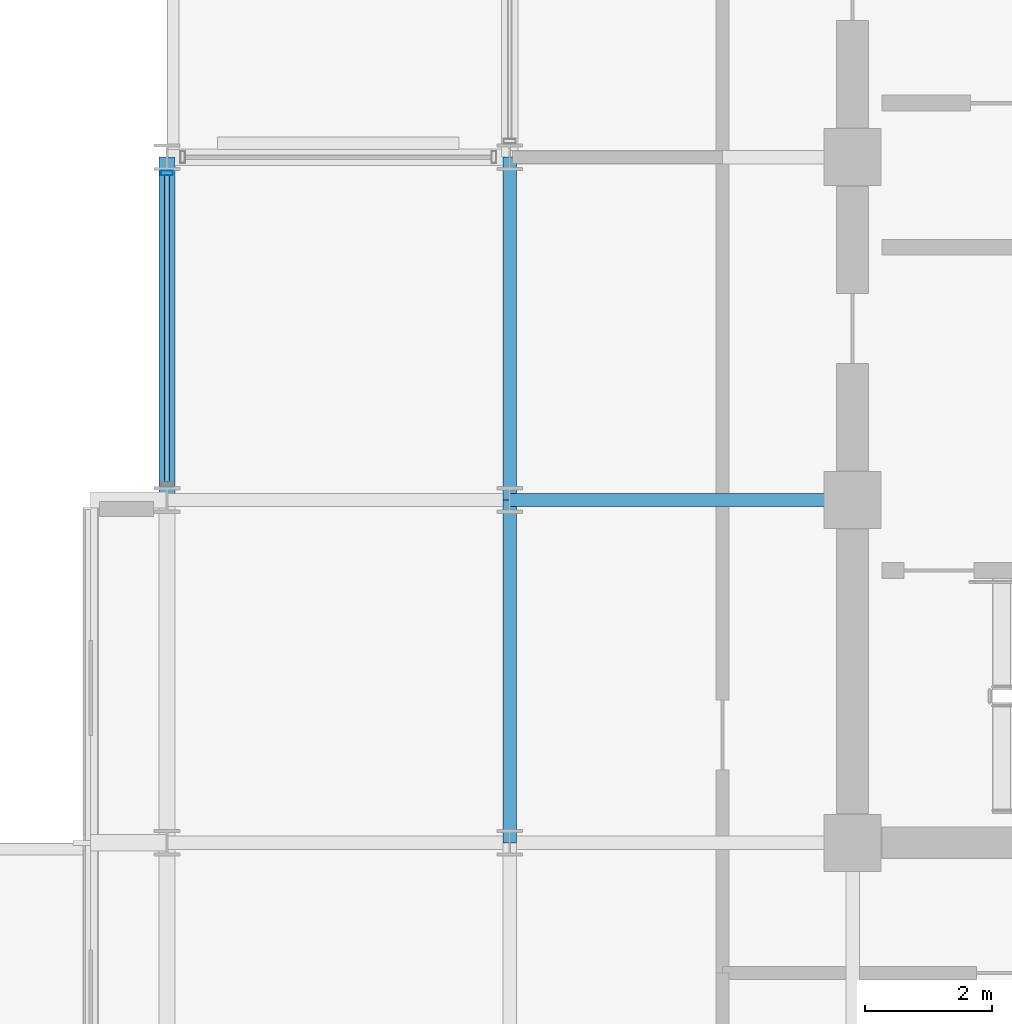
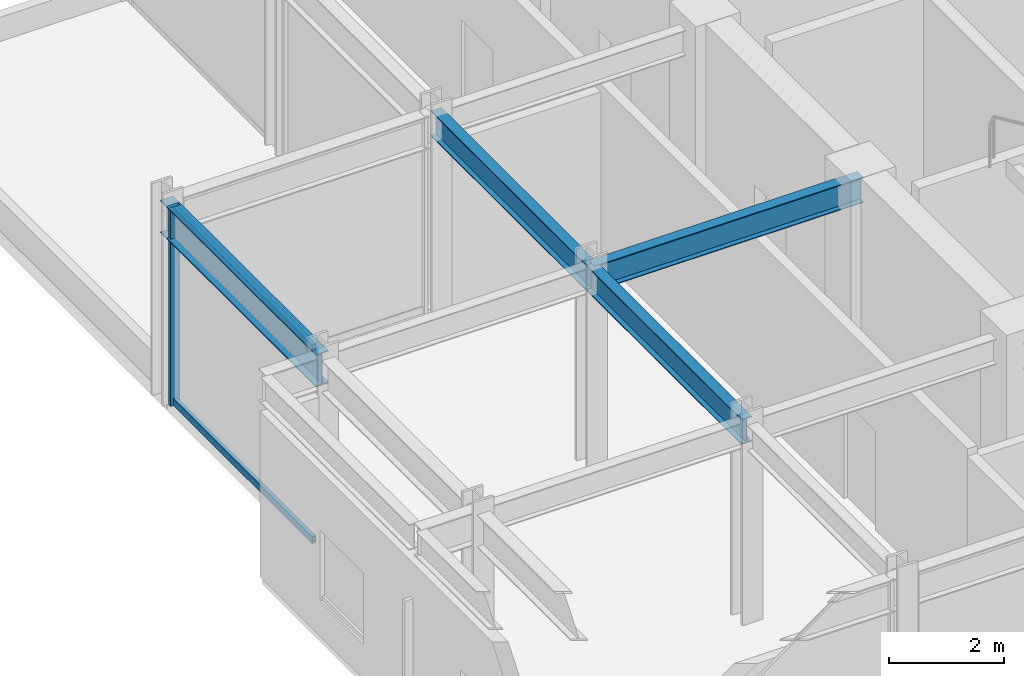
# One storey, part 3 of 21: 4 beams, 3 members, 1 element without a shape of its own.
"""IFC4 building model written with IfcOpenShell, lengths in metres."""

from ifc_helpers import new_model, si_unit, direction, frame, origin, origin_2d, place, context, subcontext, project, spatial, hollow_rectangle, i_section, extrude, material, layer, layer_set, material_profile, profile_set, type_object, element, aggregate, save


model = new_model("IFC4")

# Units and contexts
model_context = context("Model", 3, precision=1e-05, world=origin(), true_north=direction((0.0, 1.0)))
body_context = subcontext(model_context, "Body", "Model", "MODEL_VIEW")
ifc_project = project(units=[si_unit("LENGTHUNIT", "METRE"), si_unit("AREAUNIT", "SQUARE_METRE"), si_unit("VOLUMEUNIT", "CUBIC_METRE"), si_unit("PLANEANGLEUNIT", "RADIAN"), si_unit("MASSUNIT", "GRAM", prefix="KILO")], contexts=[model_context])

# Site, building, storey
site_placement = place(None, origin())
site = spatial("IfcSite", under=ifc_project, at=site_placement, CompositionType="ELEMENT")
building_placement = place(site_placement, origin())
building = spatial("IfcBuilding", under=site, at=building_placement, Name="Surkhivell Harbour Commons", CompositionType="ELEMENT")
storey_placement = place(building_placement, frame((0.0, 0.0, 346.5)))
storey = spatial("IfcBuildingStorey", under=building, at=storey_placement, Name="L90", CompositionType="ELEMENT", Elevation=346.5)

# Beams
ifc_material_1 = material(Name="Steel S355", Category="steel")
ifc_material_profile_1 = material_profile(ifc_material_1, i_section(OverallWidth=0.2099609375, OverallDepth=0.537109375, WebThickness=0.0107421875, FlangeThickness=0.017333984375, at=origin_2d()), Name="UB533x210x101")
ifc_profile_set_1 = profile_set([ifc_material_profile_1], Name="Steel S355")
beam_type_1 = type_object("IfcBeamType", Name="BM-GRD-533B", PredefinedType="BEAM", material=ifc_profile_set_1)
beam_1_placement = place(storey_placement, frame((-16.199951171875, -10.800048828125, 3.951416015625), z_axis=(0.0, 1.0, 0.0), x_axis=(-1.0, 0.0, 0.0)))
element("IfcBeam", 1, at=beam_1_placement, inside=storey, type_object=beam_type_1, Name="L90 Floor Girder (-16.2,-10.8)", PredefinedType="BEAM", context=body_context, shape_type="SweptSolid", body=[
    extrude(i_section(OverallWidth=0.2099609375, OverallDepth=0.537109375, WebThickness=0.0107421875, FlangeThickness=0.017333984375, at=origin_2d()), origin(), (0.0, 0.0, 1.0), 5.400146484375),
])
for number, where, z_axis, x_axis, name in (
    (2, (-16.199951171875, -5.39990234375, 3.951416015625), (0.0, 1.0, 0.0), (-1.0, 0.0, 0.0), "L90 Floor Girder (-16.2,-5.4)"),
    (3, (-16.199951171875, -5.39990234375, 3.951416015625), (1.0, 0.0, 0.0), (0.0, 1.0, 0.0), "L90 Floor Girder (-16.2,-5.4)"),
):
    element("IfcBeam", number, at=place(storey_placement, frame(where, z_axis=z_axis, x_axis=x_axis)), inside=storey, type_object=beam_type_1, Name=name, PredefinedType="BEAM", context=body_context, shape_type="SweptSolid", body=[
        extrude(i_section(OverallWidth=0.2099609375, OverallDepth=0.537109375, WebThickness=0.0107421875, FlangeThickness=0.017333984375, at=origin_2d()), origin(), (0.0, 0.0, 1.0), 5.39990234375),
    ])
ifc_material_profile_2 = material_profile(ifc_material_1, i_section(OverallWidth=0.256103515625, OverallDepth=0.693115234375, WebThickness=0.014404296875, FlangeThickness=0.023681640625, at=origin_2d()), Name="UB686x254x170")
ifc_profile_set_2 = profile_set([ifc_material_profile_2], Name="Steel S355")
beam_type_2 = type_object("IfcBeamType", Name="BM-SPN-686", PredefinedType="SPANDREL", material=ifc_profile_set_2)
beam_2_placement = place(storey_placement, frame((-21.60009765625, -5.39990234375, 3.87353515625), z_axis=(0.0, 1.0, 0.0), x_axis=(-1.0, 0.0, 0.0)))
element("IfcBeam", 4, at=beam_2_placement, inside=storey, type_object=beam_type_2, Name="L90 Tube Spandrel (-21.6,-5.4)", PredefinedType="SPANDREL", context=body_context, shape_type="SweptSolid", body=[
    extrude(i_section(OverallWidth=0.256103515625, OverallDepth=0.693115234375, WebThickness=0.014404296875, FlangeThickness=0.023681640625, at=origin_2d()), origin(), (0.0, 0.0, 1.0), 5.39990234375),
])

# Curtain wall, members
ifc_material_2 = material(Name="Anodised pale-metal aluminium and insulated glazing", Category="aluminium")
ifc_layer = layer(ifc_material_2, 0.22998046875)
ifc_layer_set = layer_set([ifc_layer], Name="Anodised pale-metal aluminium and insulated glazing")
curtain_wall_type = type_object("IfcCurtainWallType", Name="CW-SYS-CRN", PredefinedType="NOTDEFINED", material=ifc_layer_set)
curtain_wall_placement = place(storey_placement, origin())
curtain_wall = element("IfcCurtainWall", 5, at=curtain_wall_placement, inside=storey, type_object=curtain_wall_type, Name="L90 Curtain Wall CW-L90-C04S1", PredefinedType="NOTDEFINED")
ifc_material_3 = material(Name="Anodised pale-metal aluminium alloy 6063-T6", Category="aluminium")
ifc_material_profile_3 = material_profile(ifc_material_3, hollow_rectangle(XDim=0.074951171875, YDim=0.18994140625, WallThickness=0.00390625, at=origin_2d()), Name="ALU-MULL-75x190")
ifc_profile_set_3 = profile_set([ifc_material_profile_3], Name="Anodised pale-metal aluminium alloy 6063-T6")
member_type_1 = type_object("IfcMemberType", Name="CWM-190", PredefinedType="MULLION", material=ifc_profile_set_3)
member_1_placement = place(storey_placement, frame((-21.60009765625, -0.24951171875, 0.0), z_axis=(0.0, 0.0, 1.0), x_axis=(0.0, -1.0, 0.0)))
member_1 = element("IfcMember", 6, at=member_1_placement, type_object=member_type_1, Name="CW-CRN mullion 1", PredefinedType="MULLION", context=body_context, shape_type="SweptSolid", body=[
    extrude(hollow_rectangle(XDim=0.074951171875, YDim=0.18994140625, WallThickness=0.00390625, at=origin_2d()), origin(), (0.0, 0.0, 1.0), 4.219970703125),
])
ifc_material_profile_4 = material_profile(ifc_material_3, hollow_rectangle(XDim=0.074951171875, YDim=0.14990234375, WallThickness=0.00341796875, at=origin_2d()), Name="ALU-TRAN-75x150")
ifc_profile_set_4 = profile_set([ifc_material_profile_4], Name="Anodised pale-metal aluminium alloy 6063-T6")
member_type_2 = type_object("IfcMemberType", Name="CWT-150", PredefinedType="USERDEFINED", material=ifc_profile_set_4)
member_2_placement = place(storey_placement, frame((-21.60009765625, -0.287109375, 0.074951171875), z_axis=(0.0, -1.0, 0.0), x_axis=(1.0, 0.0, 0.0)))
member_2 = element("IfcMember", 7, at=member_2_placement, type_object=member_type_2, Name="CW-CRN transom 1.1", ObjectType="TRANSOM", PredefinedType="USERDEFINED", context=body_context, shape_type="SweptSolid", body=[
    extrude(hollow_rectangle(XDim=0.074951171875, YDim=0.14990234375, WallThickness=0.00341796875, at=origin_2d()), origin(), (0.0, 0.0, 1.0), 4.825927734375),
])
member_3_placement = place(storey_placement, frame((-21.60009765625, -0.287109375, 4.14501953125), z_axis=(0.0, -1.0, 0.0), x_axis=(1.0, 0.0, 0.0)))
member_3 = element("IfcMember", 8, at=member_3_placement, type_object=member_type_2, Name="CW-CRN transom 1.2", ObjectType="TRANSOM", PredefinedType="USERDEFINED", context=body_context, shape_type="SweptSolid", body=[
    extrude(hollow_rectangle(XDim=0.074951171875, YDim=0.14990234375, WallThickness=0.00341796875, at=origin_2d()), origin(), (0.0, 0.0, 1.0), 4.825927734375),
])
aggregate(curtain_wall, [member_1, member_2, member_3])

save(model, "model.ifc")
